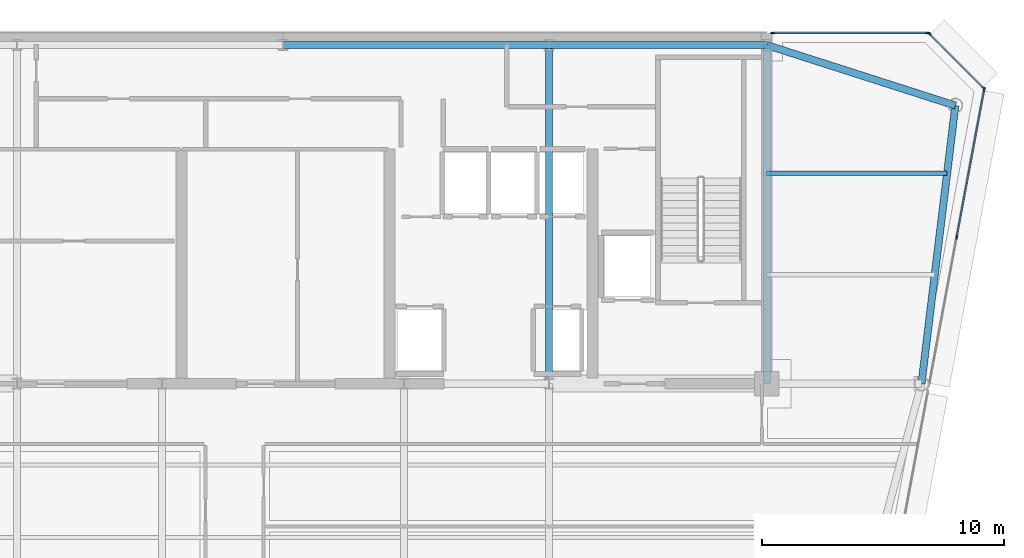
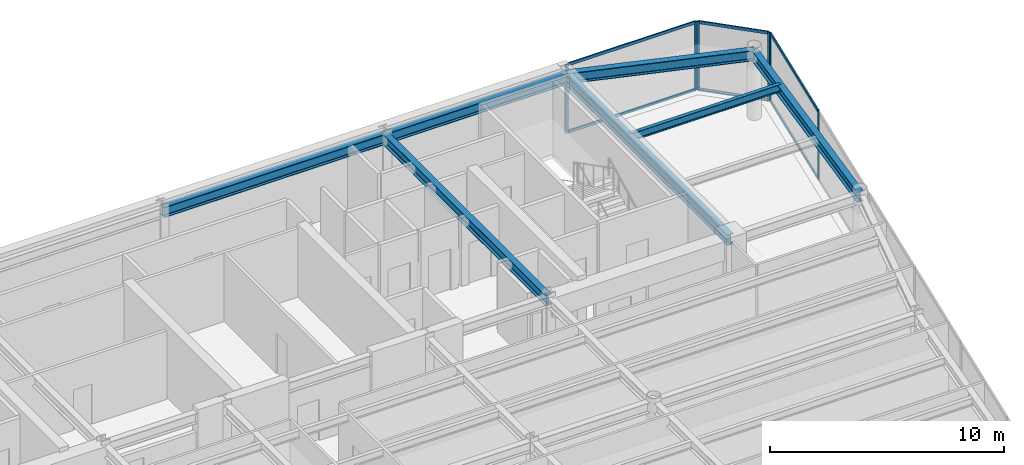
# One storey, part 8 of 18: 12 members, 7 beams, 3 elements without a shape of their own.
"""IFC4 building model written with IfcOpenShell, lengths in metres."""

from ifc_helpers import new_model, si_unit, direction, frame, origin, origin_2d, place, context, subcontext, project, spatial, rectangle, i_section, extrude, source, transform, mapped, material, layer, layer_set, material_profile, profile_set, type_object, element, aggregate, save


model = new_model("IFC4")

# Units and contexts
model_context = context("Model", 3, precision=1e-05, world=origin(), true_north=direction((0.0, 1.0)))
body_context = subcontext(model_context, "Body", "Model", "MODEL_VIEW")
ifc_project = project(units=[si_unit("LENGTHUNIT", "METRE"), si_unit("AREAUNIT", "SQUARE_METRE"), si_unit("VOLUMEUNIT", "CUBIC_METRE"), si_unit("PLANEANGLEUNIT", "RADIAN"), si_unit("MASSUNIT", "GRAM", prefix="KILO")], contexts=[model_context])

# Site, building, storey
site_placement = place(None, origin())
site = spatial("IfcSite", under=ifc_project, at=site_placement, CompositionType="ELEMENT")
building_placement = place(site_placement, origin())
building = spatial("IfcBuilding", under=site, at=building_placement, Name="Vaeldorn Concourse Tower", CompositionType="ELEMENT")
storey_placement = place(building_placement, frame((0.0, 0.0, 261.199951171875)))
storey = spatial("IfcBuildingStorey", under=building, at=storey_placement, Name="L67", CompositionType="ELEMENT", Elevation=261.199951171875)

# Beams
ifc_material_1 = material(Name="Steel S355", Category="steel")
ifc_material_profile_1 = material_profile(ifc_material_1, i_section(OverallWidth=0.179931640625, OverallDepth=0.39990234375, WebThickness=0.008544921875, FlangeThickness=0.013427734375, FilletRadius=0.02099609375, at=origin_2d()), Name="IPE 400")
ifc_profile_set_1 = profile_set([ifc_material_profile_1], Name="Steel S355")
beam_type_1 = type_object("IfcBeamType", Name="BM-JS-IPE400", PredefinedType="JOIST", material=ifc_profile_set_1)
shared_shape_1 = source(origin(), body_context, "Body", "SweptSolid", [
    extrude(i_section(OverallWidth=0.179931640625, OverallDepth=0.39990234375, WebThickness=0.008544921875, FlangeThickness=0.013427734375, FilletRadius=0.02099609375, at=origin_2d()), origin(), (0.0, 0.0, 1.0), 7.458984375),
])
beam_1_placement = place(storey_placement, frame((54.0, 45.199951171875, 3.380126953125), z_axis=(1.0, 0.0, 0.0), x_axis=(0.0, 1.0, 0.0)))
element("IfcBeam", 1, at=beam_1_placement, inside=storey, type_object=beam_type_1, Name="Beam JS-L67-NE-452", PredefinedType="JOIST", context=body_context, shape_type="MappedRepresentation", body=[
    mapped(shared_shape_1, transform((0.0, 0.0, 0.0), scale=1.0)),
])
ifc_material_profile_2 = material_profile(ifc_material_1, i_section(OverallWidth=0.300048828125, OverallDepth=0.550048828125, WebThickness=0.014892578125, FlangeThickness=0.029052734375, FilletRadius=0.027099609375, at=origin_2d()), Name="HEB 550")
ifc_profile_set_2 = profile_set([ifc_material_profile_2], Name="Steel S355")
beam_type_2 = type_object("IfcBeamType", Name="BM-PG-HEB550", PredefinedType="BEAM", material=ifc_profile_set_2)
shared_shape_2 = source(origin(), body_context, "Body", "SweptSolid", [
    extrude(i_section(OverallWidth=0.300048828125, OverallDepth=0.550048828125, WebThickness=0.014892578125, FlangeThickness=0.029052734375, FilletRadius=0.027099609375, at=origin_2d()), origin(), (0.0, 0.0, 1.0), 9.0),
])
beam_2_placement = place(storey_placement, frame((45.0, 50.5, 3.304931640625), z_axis=(1.0, 0.0, 0.0), x_axis=(0.0, 1.0, 0.0)))
element("IfcBeam", 2, at=beam_2_placement, inside=storey, type_object=beam_type_2, Name="Beam BM-L67-C-HC4-C-HC5", PredefinedType="BEAM", context=body_context, shape_type="MappedRepresentation", body=[
    mapped(shared_shape_2, transform((0.0, 0.0, 0.0), scale=1.0)),
])
shared_shape_3 = source(origin(), body_context, "Body", "SweptSolid", [
    extrude(i_section(OverallWidth=0.300048828125, OverallDepth=0.550048828125, WebThickness=0.014892578125, FlangeThickness=0.029052734375, FilletRadius=0.027099609375, at=origin_2d()), origin(), (0.0, 0.0, 1.0), 11.0),
])
beam_3_placement = place(storey_placement, frame((34.0, 50.5, 3.304931640625), z_axis=(1.0, 0.0, 0.0), x_axis=(0.0, 1.0, 0.0)))
element("IfcBeam", 3, at=beam_3_placement, inside=storey, type_object=beam_type_2, Name="Beam BM-L67-C-HC3-C-HC4", PredefinedType="BEAM", context=body_context, shape_type="MappedRepresentation", body=[
    mapped(shared_shape_3, transform((0.0, 0.0, 0.0), scale=1.0)),
])
shared_shape_4 = source(origin(), body_context, "Body", "SweptSolid", [
    extrude(i_section(OverallWidth=0.300048828125, OverallDepth=0.550048828125, WebThickness=0.014892578125, FlangeThickness=0.029052734375, FilletRadius=0.027099609375, at=origin_2d()), origin(), (0.0, 0.0, 1.0), 14.0),
])
for number, where, z_axis, x_axis, name in (
    (4, (45.0, 36.5, 3.304931640625), (0.0, 1.0, 0.0), (-1.0, 0.0, 0.0), "Beam BM-L67-C-FC5-C-HC4"),
    (5, (54.0, 36.5, 3.304931640625), (0.0, 1.0, 0.0), (-1.0, 0.0, 0.0), "Beam BM-L67-C-FC6-C-HC5"),
):
    element("IfcBeam", number, at=place(storey_placement, frame(where, z_axis=z_axis, x_axis=x_axis)), inside=storey, type_object=beam_type_2, Name=name, PredefinedType="BEAM", context=body_context, shape_type="MappedRepresentation", body=[
        mapped(shared_shape_4, transform((0.0, 0.0, 0.0), scale=1.0)),
    ])
shared_shape_5 = source(origin(), body_context, "Body", "SweptSolid", [
    extrude(i_section(OverallWidth=0.300048828125, OverallDepth=0.550048828125, WebThickness=0.014892578125, FlangeThickness=0.029052734375, FilletRadius=0.027099609375, at=origin_2d()), origin(), (0.0, 0.0, 1.0), 8.19091796875),
])
beam_4_placement = place(storey_placement, frame((54.0, 50.5, 3.304931640625), z_axis=(0.952282843383, -0.305216949396, 0.0), x_axis=(0.305216949396, 0.952282843383, 0.0)))
element("IfcBeam", 6, at=beam_4_placement, inside=storey, type_object=beam_type_2, Name="Beam BM-L67-C-HC5-C-NE1", PredefinedType="BEAM", context=body_context, shape_type="MappedRepresentation", body=[
    mapped(shared_shape_5, transform((0.0, 0.0, 0.0), scale=1.0)),
])
shared_shape_6 = source(origin(), body_context, "Body", "SweptSolid", [
    extrude(i_section(OverallWidth=0.300048828125, OverallDepth=0.550048828125, WebThickness=0.014892578125, FlangeThickness=0.029052734375, FilletRadius=0.027099609375, at=origin_2d()), origin(), (0.0, 0.0, 1.0), 11.5849609375),
])
beam_5_placement = place(storey_placement, frame((61.800048828125, 48.0, 3.304931640625), z_axis=(-0.120859382899, -0.992669637677, 0.0), x_axis=(0.992669637677, -0.120859382899, 0.0)))
element("IfcBeam", 7, at=beam_5_placement, inside=storey, type_object=beam_type_2, Name="Beam BM-L67-C-NE1-C-NE2", PredefinedType="BEAM", context=body_context, shape_type="MappedRepresentation", body=[
    mapped(shared_shape_6, transform((0.0, 0.0, 0.0), scale=1.0)),
])

# Curtain wall, members
ifc_material_2 = material(Name="Anodised Bronze Aluminium", Category="aluminium")
ifc_layer = layer(ifc_material_2, 0.179931640625)
ifc_layer_set = layer_set([ifc_layer], Name="Anodised Bronze Aluminium")
curtain_wall_type = type_object("IfcCurtainWallType", Name="CW-SYS-05", PredefinedType="NOTDEFINED", material=ifc_layer_set)
curtain_wall_1_placement = place(storey_placement, origin())
curtain_wall_1 = element("IfcCurtainWall", 8, at=curtain_wall_1_placement, inside=storey, type_object=curtain_wall_type, Name="Unitised Curtain Wall CW-L67-E08-1", PredefinedType="NOTDEFINED")
ifc_material_profile_3 = material_profile(ifc_material_2, rectangle(XDim=0.06494140625, YDim=0.14990234375, at=origin_2d()), Name="CWT 65x150")
ifc_profile_set_3 = profile_set([ifc_material_profile_3], Name="Anodised Bronze Aluminium")
member_type_1 = type_object("IfcMemberType", Name="CWT-BRONZE-150", PredefinedType="USERDEFINED", material=ifc_profile_set_3)
shared_shape_7 = source(origin(), body_context, "Body", "SweptSolid", [
    extrude(rectangle(XDim=0.06494140625, YDim=0.14990234375, at=origin_2d()), origin(), (0.0, 0.0, 1.0), 3.123046875),
])
member_1_placement = place(storey_placement, frame((62.9541015625, 48.745849609375, 0.032470703125), z_axis=(-0.707106781187, 0.707106781187, 0.0), x_axis=(-0.707106781187, -0.707106781187, 0.0)))
member_1 = element("IfcMember", 9, at=member_1_placement, type_object=member_type_1, Name="CW-05 transom 1.1", ObjectType="TRANSOM", PredefinedType="USERDEFINED", context=body_context, shape_type="MappedRepresentation", body=[
    mapped(shared_shape_7, transform((0.0, 0.0, 0.0), scale=1.0)),
])
member_2_placement = place(storey_placement, frame((62.9541015625, 48.745849609375, 3.547607421875), z_axis=(-0.707106781187, 0.707106781187, 0.0), x_axis=(-0.707106781187, -0.707106781187, 0.0)))
member_2 = element("IfcMember", 10, at=member_2_placement, type_object=member_type_1, Name="CW-05 transom 1.2", ObjectType="TRANSOM", PredefinedType="USERDEFINED", context=body_context, shape_type="MappedRepresentation", body=[
    mapped(shared_shape_7, transform((0.0, 0.0, 0.0), scale=1.0)),
])

curtain_wall_2_placement = place(storey_placement, origin())
curtain_wall_2 = element("IfcCurtainWall", 11, at=curtain_wall_2_placement, inside=storey, type_object=curtain_wall_type, Name="Unitised Curtain Wall CW-L67-E07-2", PredefinedType="NOTDEFINED")
ifc_material_profile_4 = material_profile(ifc_material_2, rectangle(XDim=0.06494140625, YDim=0.169921875, at=origin_2d()), Name="CWM 65x170")
ifc_profile_set_4 = profile_set([ifc_material_profile_4], Name="Anodised Bronze Aluminium")
member_type_2 = type_object("IfcMemberType", Name="CWM-BRONZE-170", PredefinedType="MULLION", material=ifc_profile_set_4)
shared_shape_8 = source(origin(), body_context, "Body", "SweptSolid", [
    extrude(rectangle(XDim=0.06494140625, YDim=0.169921875, at=origin_2d()), origin(), (0.0, 0.0, 1.0), 3.580078125),
])
member_3_placement = place(storey_placement, frame((61.857421875, 42.564208984375, 0.0), z_axis=(0.0, 0.0, 1.0), x_axis=(-0.983102768025, 0.183054493257, 0.0)))
member_3 = element("IfcMember", 12, at=member_3_placement, type_object=member_type_2, Name="CW-05 mullion 2", PredefinedType="MULLION", context=body_context, shape_type="MappedRepresentation", body=[
    mapped(shared_shape_8, transform((0.0, 0.0, 0.0), scale=1.0)),
])
member_4_placement = place(storey_placement, frame((62.994140625, 48.66796875, 0.0), z_axis=(0.0, 0.0, 1.0), x_axis=(-0.983102768025, 0.183054493257, 0.0)))
member_4 = element("IfcMember", 13, at=member_4_placement, type_object=member_type_2, Name="CW-05 mullion 3", PredefinedType="MULLION", context=body_context, shape_type="MappedRepresentation", body=[
    mapped(shared_shape_8, transform((0.0, 0.0, 0.0), scale=1.0)),
])

# Member
member_5_placement = place(storey_placement, frame((62.97705078125, 48.722900390625, 0.0), z_axis=(0.0, 0.0, 1.0), x_axis=(-0.707106781187, -0.707106781187, 0.0)))
member_5 = element("IfcMember", 14, at=member_5_placement, type_object=member_type_2, Name="CW-05 mullion 1", PredefinedType="MULLION", context=body_context, shape_type="MappedRepresentation", body=[
    mapped(shared_shape_8, transform((0.0, 0.0, 0.0), scale=1.0)),
])

member_6_placement = place(storey_placement, frame((60.722900390625, 50.97705078125, 0.0), z_axis=(0.0, 0.0, 1.0), x_axis=(-0.707106781187, -0.707106781187, 0.0)))
member_6 = element("IfcMember", 15, at=member_6_placement, type_object=member_type_2, Name="CW-05 mullion 2", PredefinedType="MULLION", context=body_context, shape_type="MappedRepresentation", body=[
    mapped(shared_shape_8, transform((0.0, 0.0, 0.0), scale=1.0)),
])

aggregate(curtain_wall_1, [member_5, member_6, member_1, member_2])

# Curtain wall, members
curtain_wall_3_placement = place(storey_placement, origin())
curtain_wall_3 = element("IfcCurtainWall", 16, at=curtain_wall_3_placement, inside=storey, type_object=curtain_wall_type, Name="Unitised Curtain Wall CW-L67-E09-1", PredefinedType="NOTDEFINED")
member_7_placement = place(storey_placement, frame((60.66748046875, 51.0, 0.0), z_axis=(0.0, 0.0, 1.0), x_axis=(0.0, -1.0, 0.0)))
member_7 = element("IfcMember", 17, at=member_7_placement, type_object=member_type_2, Name="CW-05 mullion 1", PredefinedType="MULLION", context=body_context, shape_type="MappedRepresentation", body=[
    mapped(shared_shape_8, transform((0.0, 0.0, 0.0), scale=1.0)),
])
member_8_placement = place(storey_placement, frame((54.25244140625, 51.0, 0.0), z_axis=(0.0, 0.0, 1.0), x_axis=(0.0, -1.0, 0.0)))
member_8 = element("IfcMember", 18, at=member_8_placement, type_object=member_type_2, Name="CW-05 mullion 2", PredefinedType="MULLION", context=body_context, shape_type="MappedRepresentation", body=[
    mapped(shared_shape_8, transform((0.0, 0.0, 0.0), scale=1.0)),
])

# Member
shared_shape_9 = source(origin(), body_context, "Body", "SweptSolid", [
    extrude(rectangle(XDim=0.06494140625, YDim=0.14990234375, at=origin_2d()), origin(), (0.0, 0.0, 1.0), 6.1435546875),
])
member_9_placement = place(storey_placement, frame((61.863525390625, 42.59619140625, 0.032470703125), z_axis=(0.183038328644, 0.983105777751, 0.0), x_axis=(-0.983105777751, 0.183038328644, 0.0)))
member_9 = element("IfcMember", 19, at=member_9_placement, type_object=member_type_1, Name="CW-05 transom 2.1", ObjectType="TRANSOM", PredefinedType="USERDEFINED", context=body_context, shape_type="MappedRepresentation", body=[
    mapped(shared_shape_9, transform((0.0, 0.0, 0.0), scale=1.0)),
])

member_10_placement = place(storey_placement, frame((61.863525390625, 42.59619140625, 3.547607421875), z_axis=(0.183038328644, 0.983105777751, 0.0), x_axis=(-0.983105777751, 0.183038328644, 0.0)))
member_10 = element("IfcMember", 20, at=member_10_placement, type_object=member_type_1, Name="CW-05 transom 2.2", ObjectType="TRANSOM", PredefinedType="USERDEFINED", context=body_context, shape_type="MappedRepresentation", body=[
    mapped(shared_shape_9, transform((0.0, 0.0, 0.0), scale=1.0)),
])

aggregate(curtain_wall_2, [member_3, member_4, member_9, member_10])

shared_shape_10 = source(origin(), body_context, "Body", "SweptSolid", [
    extrude(rectangle(XDim=0.06494140625, YDim=0.14990234375, at=origin_2d()), origin(), (0.0, 0.0, 1.0), 6.35009765625),
])
member_11_placement = place(storey_placement, frame((60.635009765625, 51.0, 0.032470703125), z_axis=(-1.0, 0.0, 0.0), x_axis=(0.0, -1.0, 0.0)))
member_11 = element("IfcMember", 21, at=member_11_placement, type_object=member_type_1, Name="CW-05 transom 1.1", ObjectType="TRANSOM", PredefinedType="USERDEFINED", context=body_context, shape_type="MappedRepresentation", body=[
    mapped(shared_shape_10, transform((0.0, 0.0, 0.0), scale=1.0)),
])

member_12_placement = place(storey_placement, frame((60.635009765625, 51.0, 3.547607421875), z_axis=(-1.0, 0.0, 0.0), x_axis=(0.0, -1.0, 0.0)))
member_12 = element("IfcMember", 22, at=member_12_placement, type_object=member_type_1, Name="CW-05 transom 1.2", ObjectType="TRANSOM", PredefinedType="USERDEFINED", context=body_context, shape_type="MappedRepresentation", body=[
    mapped(shared_shape_10, transform((0.0, 0.0, 0.0), scale=1.0)),
])

aggregate(curtain_wall_3, [member_7, member_8, member_11, member_12])

save(model, "model.ifc")
